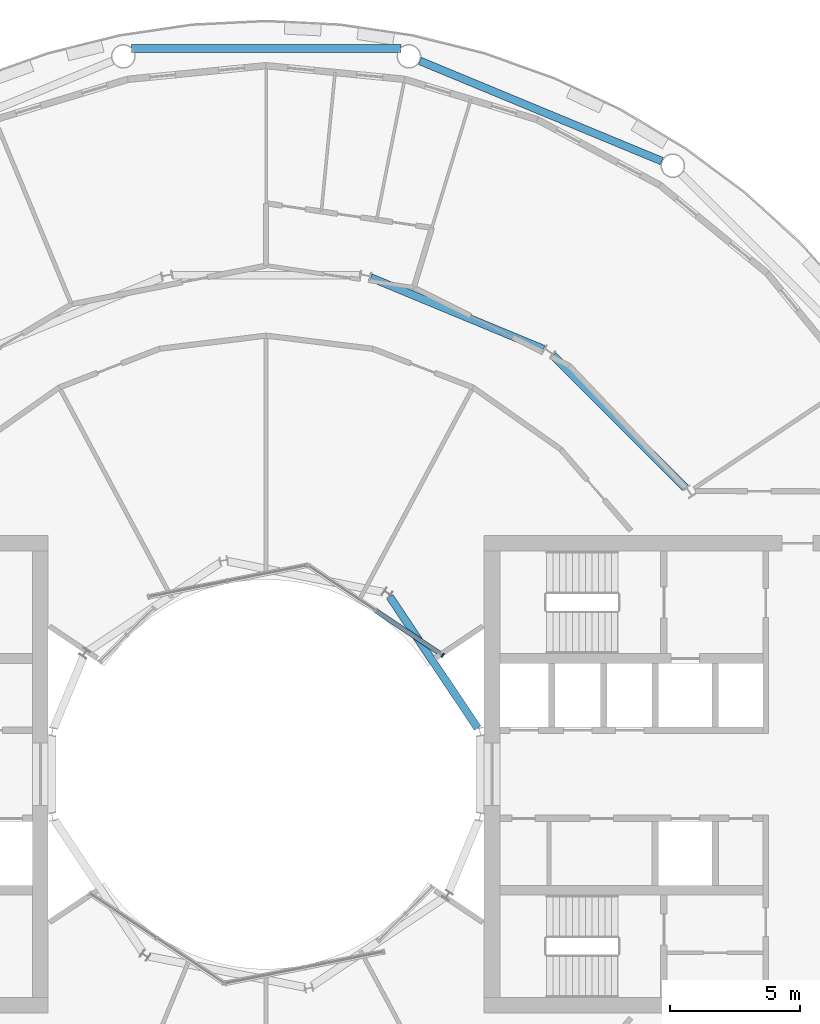
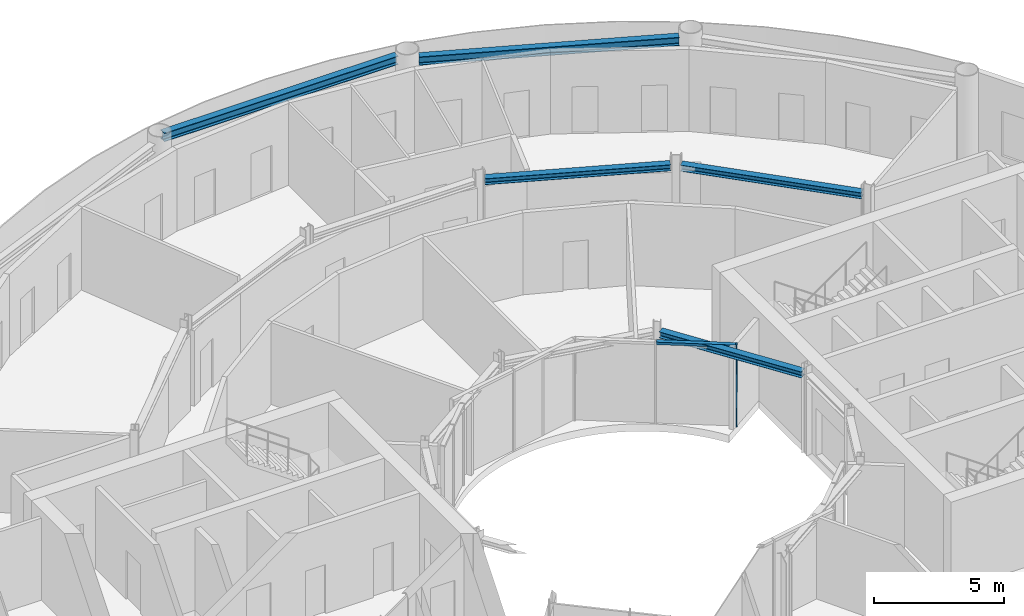
# One storey, part 9 of 21: 5 beams, 2 members, 1 element without a shape of its own.
"""IFC4 building model written with IfcOpenShell, lengths in metres."""

from ifc_helpers import new_model, si_unit, direction, frame, origin, origin_2d, place, context, subcontext, project, spatial, rectangle, i_section, extrude, material, layer, layer_set, material_profile, profile_set, type_object, element, aggregate, save


model = new_model("IFC4")

# Units and contexts
model_context = context("Model", 3, precision=1e-05, world=origin(), true_north=direction((0.0, 1.0)))
body_context = subcontext(model_context, "Body", "Model", "MODEL_VIEW")
ifc_project = project(units=[si_unit("LENGTHUNIT", "METRE"), si_unit("AREAUNIT", "SQUARE_METRE"), si_unit("VOLUMEUNIT", "CUBIC_METRE"), si_unit("PLANEANGLEUNIT", "RADIAN"), si_unit("MASSUNIT", "GRAM", prefix="KILO")], contexts=[model_context])

# Site, building, storey
site_placement = place(None, origin())
site = spatial("IfcSite", under=ifc_project, at=site_placement, CompositionType="ELEMENT")
building_placement = place(site_placement, origin())
building = spatial("IfcBuilding", under=site, at=building_placement, Name="Maasbend Ring Residences", CompositionType="ELEMENT")
storey_placement = place(building_placement, frame((0.0, 0.0, 107.449951171875)))
storey = spatial("IfcBuildingStorey", under=building, at=storey_placement, Name="L30", CompositionType="ELEMENT", Elevation=107.449951171875)

# Curtain wall, members
ifc_material_1 = material(Name="Aluminium and clear glass", Category="aluminium")
ifc_layer = layer(ifc_material_1, 0.179931640625)
ifc_layer_set = layer_set([ifc_layer], Name="CW-W")
curtain_wall_type = type_object("IfcCurtainWallType", Name="CW-W", PredefinedType="NOTDEFINED", material=ifc_layer_set)
curtain_wall_placement = place(storey_placement, origin())
curtain_wall = element("IfcCurtainWall", 1, at=curtain_wall_placement, inside=storey, type_object=curtain_wall_type, Name="Well curtain wall N1", PredefinedType="NOTDEFINED")
ifc_material_2 = material(Name="Aluminium 6063-T6", Category="aluminium")
ifc_material_profile_1 = material_profile(ifc_material_2, rectangle(XDim=0.179931640625, YDim=0.06005859375, at=origin_2d()), Name="AL 180x60")
ifc_profile_set_1 = profile_set([ifc_material_profile_1], Name="Aluminium 6063-T6")
member_type_1 = type_object("IfcMemberType", Name="CWM-W", PredefinedType="MULLION", material=ifc_profile_set_1)
member_1_placement = place(storey_placement, frame((6.805908203125, 4.580810546875, 0.0), z_axis=(0.0, 0.0, 1.0), x_axis=(-0.55557023302, -0.831469612303, 0.0)))
member_1 = element("IfcMember", 2, at=member_1_placement, type_object=member_type_1, Name="Mullion well face", PredefinedType="MULLION", context=body_context, shape_type="SweptSolid", body=[
    extrude(rectangle(XDim=0.179931640625, YDim=0.06005859375, at=origin_2d()), origin(), (0.0, 0.0, 1.0), 3.85009765625),
])
ifc_material_3 = material(Name="Aluminium 6063-T6", Category="aluminium")
ifc_material_profile_2 = material_profile(ifc_material_3, rectangle(XDim=0.179931640625, YDim=0.1201171875, at=origin_2d()), Name="AL 180x120")
ifc_profile_set_2 = profile_set([ifc_material_profile_2], Name="Aluminium 6063-T6")
member_type_2 = type_object("IfcMemberType", Name="CWT-W", PredefinedType="USERDEFINED", material=ifc_profile_set_2)
member_2_placement = place(storey_placement, frame((6.781005859375, 4.59765625, 3.7900390625), z_axis=(-0.831496422459, 0.555530106689, 0.0), x_axis=(-0.555530106689, -0.831496422459, 0.0)))
member_2 = element("IfcMember", 3, at=member_2_placement, type_object=member_type_2, Name="Transom well face", ObjectType="TRANSOM", PredefinedType="USERDEFINED", context=body_context, shape_type="SweptSolid", body=[
    extrude(rectangle(XDim=0.179931640625, YDim=0.1201171875, at=origin_2d()), origin(), (0.0, 0.0, 1.0), 3.053955078125),
])
aggregate(curtain_wall, [member_1, member_2])

# Beams
ifc_material_4 = material(Name="Steel S355J2", Category="steel")
ifc_material_profile_3 = material_profile(ifc_material_4, i_section(OverallWidth=0.300048828125, OverallDepth=0.2900390625, WebThickness=0.008544921875, FlangeThickness=0.013916015625, FilletRadius=0.027099609375, at=origin_2d()), Name="HEA 300")
ifc_profile_set_3 = profile_set([ifc_material_profile_3], Name="Steel S355J2")
beam_type_1 = type_object("IfcBeamType", Name="Corridor ring beam HEA 300", PredefinedType="BEAM", material=ifc_profile_set_3)
for number, where, z_axis, x_axis, name in (
    (4, (16.14111328125, 11.044921875, 3.705078125), (-0.707106781187, 0.707106781187, 0.0), (-0.707106781187, -0.707106781187, 0.0), "Corridor ring beam"),
    (5, (10.685791015625, 16.381103515625, 3.705078125), (-0.923877693919, 0.382687871089, 0.0), (-0.382687871089, -0.923877693919, 0.0), "Corridor ring beam"),
):
    element("IfcBeam", number, at=place(storey_placement, frame(where, z_axis=z_axis, x_axis=x_axis)), inside=storey, type_object=beam_type_1, Name=name, PredefinedType="BEAM", context=body_context, shape_type="SweptSolid", body=[
        extrude(i_section(OverallWidth=0.300048828125, OverallDepth=0.2900390625, WebThickness=0.008544921875, FlangeThickness=0.013916015625, FilletRadius=0.027099609375, at=origin_2d()), origin(), (0.0, 0.0, 1.0), 7.20703125),
    ])
ifc_material_5 = material(Name="Steel S355J2", Category="steel")
ifc_material_profile_4 = material_profile(ifc_material_5, i_section(OverallWidth=0.300048828125, OverallDepth=0.39990234375, WebThickness=0.013427734375, FlangeThickness=0.02392578125, FilletRadius=0.027099609375, at=origin_2d()), Name="HEB 400")
ifc_profile_set_4 = profile_set([ifc_material_profile_4], Name="Steel S355J2")
beam_type_2 = type_object("IfcBeamType", Name="Spandrel ring beam HEB 400", PredefinedType="SPANDREL", material=ifc_profile_set_4)
beam_1_placement = place(storey_placement, frame((15.244873046875, 23.622314453125, 3.650146484375), z_axis=(-0.92388529709, 0.382669515144, 0.0), x_axis=(-0.382669515144, -0.92388529709, 0.0)))
element("IfcBeam", 6, at=beam_1_placement, inside=storey, type_object=beam_type_2, Name="Spandrel ring beam", PredefinedType="SPANDREL", context=body_context, shape_type="SweptSolid", body=[
    extrude(i_section(OverallWidth=0.300048828125, OverallDepth=0.39990234375, WebThickness=0.013427734375, FlangeThickness=0.02392578125, FilletRadius=0.027099609375, at=origin_2d()), origin(), (0.0, 0.0, 1.0), 10.089111328125),
])
beam_2_placement = place(storey_placement, frame((5.194580078125, 27.9580078125, 3.650146484375), z_axis=(-1.0, 0.0, 0.0), x_axis=(0.0, -1.0, 0.0)))
element("IfcBeam", 7, at=beam_2_placement, inside=storey, type_object=beam_type_2, Name="Spandrel ring beam", PredefinedType="SPANDREL", context=body_context, shape_type="SweptSolid", body=[
    extrude(i_section(OverallWidth=0.300048828125, OverallDepth=0.39990234375, WebThickness=0.013427734375, FlangeThickness=0.02392578125, FilletRadius=0.027099609375, at=origin_2d()), origin(), (0.0, 0.0, 1.0), 10.38916015625),
])
ifc_material_6 = material(Name="Steel S355J2", Category="steel")
ifc_material_profile_5 = material_profile(ifc_material_6, i_section(OverallWidth=0.300048828125, OverallDepth=0.2900390625, WebThickness=0.008544921875, FlangeThickness=0.013916015625, FilletRadius=0.027099609375, at=origin_2d()), Name="HEA 300")
ifc_profile_set_5 = profile_set([ifc_material_profile_5], Name="Steel S355J2")
beam_type_3 = type_object("IfcBeamType", Name="Well edge beam HEA 300", PredefinedType="BEAM", material=ifc_profile_set_5)
beam_3_placement = place(storey_placement, frame((8.1484375, 1.773681640625, 3.705078125), z_axis=(-0.555558236289, 0.831477628137, 0.0), x_axis=(-0.831477628137, -0.555558236289, 0.0)))
element("IfcBeam", 8, at=beam_3_placement, inside=storey, type_object=beam_type_3, Name="Well edge beam", PredefinedType="BEAM", context=body_context, shape_type="SweptSolid", body=[
    extrude(i_section(OverallWidth=0.300048828125, OverallDepth=0.2900390625, WebThickness=0.008544921875, FlangeThickness=0.013916015625, FilletRadius=0.027099609375, at=origin_2d()), origin(), (0.0, 0.0, 1.0), 6.1044921875),
])

save(model, "model.ifc")
